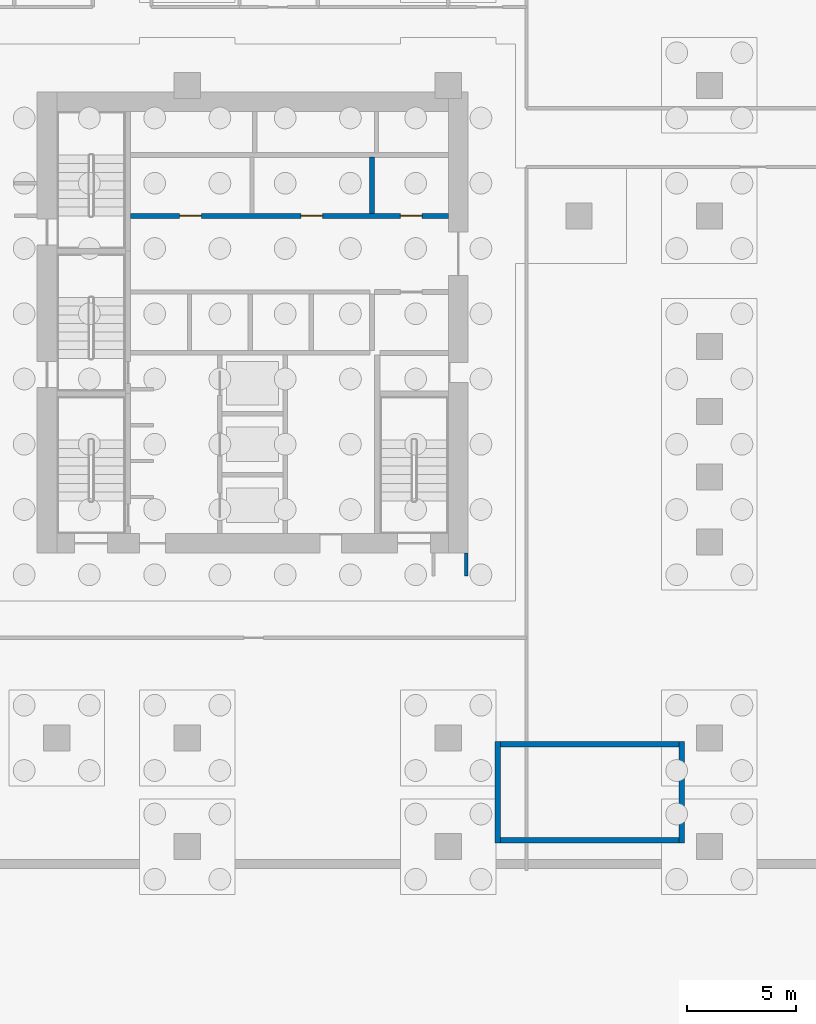
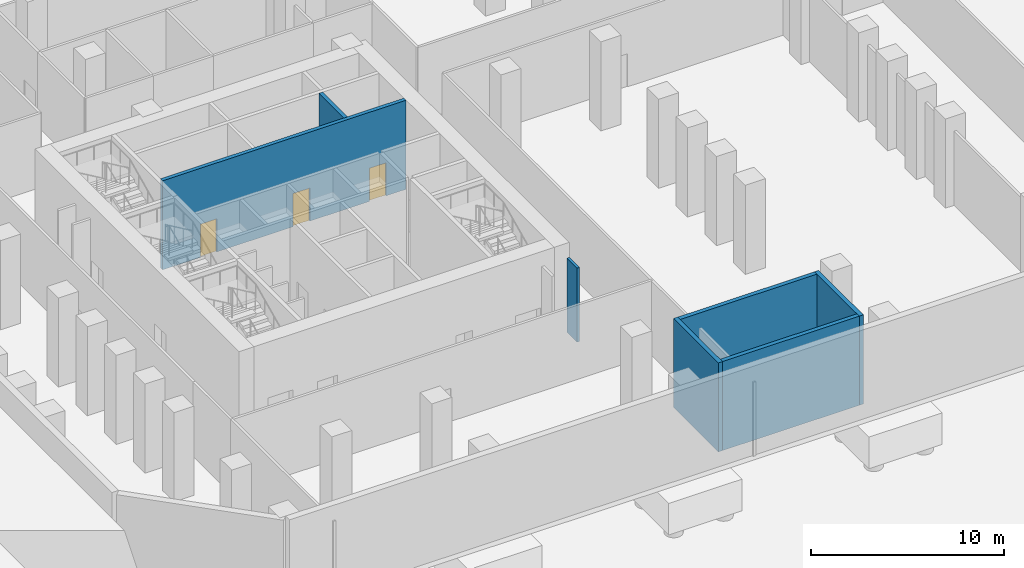
# One storey, part 6 of 16: 7 walls, 3 doors, 3 openings.
"""IFC4 building model written with IfcOpenShell, lengths in metres."""

from ifc_helpers import new_model, si_unit, direction, frame, frame_2d, origin, place, context, subcontext, project, spatial, rectangle, extrude, material, layer, layer_set, type_object, element, fill, save


model = new_model("IFC4")

# Units and contexts
model_context = context("Model", 3, precision=1e-05, world=origin(), true_north=direction((0.0, 1.0)))
body_context = subcontext(model_context, "Body", "Model", "MODEL_VIEW")
ifc_project = project(units=[si_unit("LENGTHUNIT", "METRE"), si_unit("AREAUNIT", "SQUARE_METRE"), si_unit("VOLUMEUNIT", "CUBIC_METRE"), si_unit("PLANEANGLEUNIT", "RADIAN"), si_unit("MASSUNIT", "GRAM", prefix="KILO")], contexts=[model_context])

# Site, building, storey
site_placement = place(None, origin())
site = spatial("IfcSite", under=ifc_project, at=site_placement, CompositionType="ELEMENT")
building_placement = place(site_placement, origin())
building = spatial("IfcBuilding", under=site, at=building_placement, Name="Welwitschia Terrace Campus", CompositionType="ELEMENT")
storey_placement = place(building_placement, frame((0.0, 0.0, -6.0)))
storey = spatial("IfcBuildingStorey", under=building, at=storey_placement, Name="B1", CompositionType="ELEMENT", Elevation=-6.0)

# Wall, openings, doors
ifc_material_1 = material(Name="Concrete C32/40", Category="concrete")
ifc_layer_1 = layer(ifc_material_1, 0.22509765625)
ifc_layer_set_1 = layer_set([ifc_layer_1], Name="Concrete C32/40")
wall_type_1 = type_object("IfcWallType", Name="Core partition 225 Concrete C32/40", PredefinedType="PARTITIONING", material=ifc_layer_set_1)
wall_1_placement = place(storey_placement, frame((24.0, 20.0, 0.0), z_axis=(0.0, 0.0, 1.0), x_axis=(-1.0, 0.0, 0.0)))
wall_1 = element("IfcWall", 1, at=wall_1_placement, inside=storey, type_object=wall_type_1, Name="Core partition", PredefinedType="PARTITIONING", context=body_context, shape_type="SweptSolid", body=[
    extrude(rectangle(XDim=14.60009765625, YDim=0.22509765625, at=frame_2d((7.300048828125, 0.0))), origin(), (0.0, 0.0, 1.0), 5.64990234375),
])
opening_1_placement = place(wall_1_placement, frame((11.35009765625, 0.0, 0.0)))
opening_1 = element("IfcOpeningElement", 2, at=opening_1_placement, cuts=wall_1, Name="Opening DR10", PredefinedType="OPENING", context=body_context, shape_type="SweptSolid", body=[
    extrude(rectangle(XDim=1.0, YDim=2.10009765625, at=frame_2d((0.5, 1.050048828125))), frame((0.0, 0.12255859375, 0.0), z_axis=(0.0, -1.0, 0.0), x_axis=(1.0, 0.0, 0.0)), (0.0, 0.0, 1.0), 0.2451171875),
])
opening_2_placement = place(wall_1_placement, frame((5.77490234375, 0.0, 0.0)))
opening_2 = element("IfcOpeningElement", 3, at=opening_2_placement, cuts=wall_1, Name="Opening DR10", PredefinedType="OPENING", context=body_context, shape_type="SweptSolid", body=[
    extrude(rectangle(XDim=1.0, YDim=2.10009765625, at=frame_2d((0.5, 1.050048828125))), frame((0.0, 0.12255859375, 0.0), z_axis=(0.0, -1.0, 0.0), x_axis=(1.0, 0.0, 0.0)), (0.0, 0.0, 1.0), 0.2451171875),
])
opening_3_placement = place(wall_1_placement, frame((1.199951171875, 0.0, 0.0)))
opening_3 = element("IfcOpeningElement", 4, at=opening_3_placement, cuts=wall_1, Name="Opening DR10", PredefinedType="OPENING", context=body_context, shape_type="SweptSolid", body=[
    extrude(rectangle(XDim=1.0, YDim=2.10009765625, at=frame_2d((0.5, 1.050048828125))), frame((0.0, 0.12255859375, 0.0), z_axis=(0.0, -1.0, 0.0), x_axis=(1.0, 0.0, 0.0)), (0.0, 0.0, 1.0), 0.2451171875),
])
ifc_material_2 = material(Name="Steel S275", Category="steel")
door_type = type_object("IfcDoorType", Name="Core door DR10", OperationType="SINGLE_SWING_LEFT", PredefinedType="DOOR", material=ifc_material_2)
door_1_placement = place(opening_1_placement, origin())
door_1 = element("IfcDoor", 5, at=door_1_placement, inside=storey, type_object=door_type, Name="Door BAYH1-D", OperationType="SINGLE_SWING_RIGHT", OverallHeight=2.10009765625, OverallWidth=1.0, PredefinedType="DOOR", context=body_context, shape_type="SweptSolid", body=[
    extrude(rectangle(XDim=1.0, YDim=2.10009765625, at=frame_2d((0.5, 1.050048828125))), frame((0.0, 0.02490234375, 0.0), z_axis=(0.0, -1.0, 0.0), x_axis=(1.0, 0.0, 0.0)), (0.0, 0.0, 1.0), 0.050048828125),
])
fill(opening_1, door_1)
door_2_placement = place(opening_2_placement, origin())
door_2 = element("IfcDoor", 6, at=door_2_placement, inside=storey, type_object=door_type, Name="Door BAYH2-D", OperationType="SINGLE_SWING_LEFT", OverallHeight=2.10009765625, OverallWidth=1.0, PredefinedType="DOOR", context=body_context, shape_type="SweptSolid", body=[
    extrude(rectangle(XDim=1.0, YDim=2.10009765625, at=frame_2d((0.5, 1.050048828125))), frame((0.0, 0.02490234375, 0.0), z_axis=(0.0, -1.0, 0.0), x_axis=(1.0, 0.0, 0.0)), (0.0, 0.0, 1.0), 0.050048828125),
])
fill(opening_2, door_2)
door_3_placement = place(opening_3_placement, origin())
door_3 = element("IfcDoor", 7, at=door_3_placement, inside=storey, type_object=door_type, Name="Door EH-D", OperationType="SINGLE_SWING_LEFT", OverallHeight=2.10009765625, OverallWidth=1.0, PredefinedType="DOOR", context=body_context, shape_type="SweptSolid", body=[
    extrude(rectangle(XDim=1.0, YDim=2.10009765625, at=frame_2d((0.5, 1.050048828125))), frame((0.0, 0.02490234375, 0.0), z_axis=(0.0, -1.0, 0.0), x_axis=(1.0, 0.0, 0.0)), (0.0, 0.0, 1.0), 0.050048828125),
])
fill(opening_3, door_3)

# Walls
wall_2_placement = place(storey_placement, frame((20.5, 20.10009765625, 0.0), z_axis=(0.0, 0.0, 1.0), x_axis=(0.0, 1.0, 0.0)))
element("IfcWall", 8, at=wall_2_placement, inside=storey, type_object=wall_type_1, Name="Core partition", PredefinedType="PARTITIONING", context=body_context, shape_type="SweptSolid", body=[
    extrude(rectangle(XDim=2.599853515625, YDim=0.22509765625, at=frame_2d((1.2998046875, 0.0))), origin(), (0.0, 0.0, 1.0), 5.64990234375),
])
ifc_material_3 = material(Name="Concrete C50/60", Category="concrete")
ifc_layer_2 = layer(ifc_material_3, 0.25)
ifc_layer_set_2 = layer_set([ifc_layer_2], Name="Concrete C50/60")
wall_type_2 = type_object("IfcWallType", Name="Core wall 250 Concrete C50/60", PredefinedType="SHEAR", material=ifc_layer_set_2)
for number, where, z_axis, x_axis, name in (
    (9, (26.27490234375, -8.824951171875, 0.0), (0.0, 0.0, 1.0), (0.0, 1.0, 0.0), "Core wall"),
    (10, (34.72509765625, -8.824951171875, 0.0), (0.0, 0.0, 1.0), (0.0, 1.0, 0.0), "Core wall"),
):
    element("IfcWall", number, at=place(storey_placement, frame(where, z_axis=z_axis, x_axis=x_axis)), inside=storey, type_object=wall_type_2, Name=name, PredefinedType="SHEAR", context=body_context, shape_type="SweptSolid", body=[
        extrude(rectangle(XDim=4.64990234375, YDim=0.25, at=frame_2d((2.324951171875, 0.0))), origin(), (0.0, 0.0, 1.0), 5.64990234375),
    ])
for number, where, z_axis, x_axis, name in (
    (11, (34.60009765625, -8.699951171875, 0.0), (0.0, 0.0, 1.0), (-1.0, 0.0, 0.0), "Core wall"),
    (12, (26.39990234375, -4.300048828125, 0.0), (0.0, 0.0, 1.0), (1.0, 0.0, 0.0), "Core wall"),
):
    element("IfcWall", number, at=place(storey_placement, frame(where, z_axis=z_axis, x_axis=x_axis)), inside=storey, type_object=wall_type_2, Name=name, PredefinedType="SHEAR", context=body_context, shape_type="SweptSolid", body=[
        extrude(rectangle(XDim=8.2001953125, YDim=0.25, at=frame_2d((4.10009765625, 0.0))), origin(), (0.0, 0.0, 1.0), 5.64990234375),
    ])
ifc_material_4 = material(Name="Gypsum board on steel studs", Category="steel")
ifc_layer_3 = layer(ifc_material_4, 0.14990234375)
ifc_layer_set_3 = layer_set([ifc_layer_3], Name="Gypsum board on steel studs")
wall_type_3 = type_object("IfcWallType", Name="Corridor partition 150 EI 30", PredefinedType="PARTITIONING", material=ifc_layer_set_3)
wall_3_placement = place(storey_placement, frame((24.830078125, 3.449951171875, 0.0), z_axis=(0.0, 0.0, 1.0), x_axis=(0.0, 1.0, 0.0)))
element("IfcWall", 13, at=wall_3_placement, inside=storey, type_object=wall_type_3, Name="Partition", PredefinedType="PARTITIONING", context=body_context, shape_type="SweptSolid", body=[
    extrude(rectangle(XDim=1.050048828125, YDim=0.14990234375, at=frame_2d((0.52490234375, 0.0))), origin(), (0.0, 0.0, 1.0), 4.699951171875),
])

save(model, "model.ifc")
